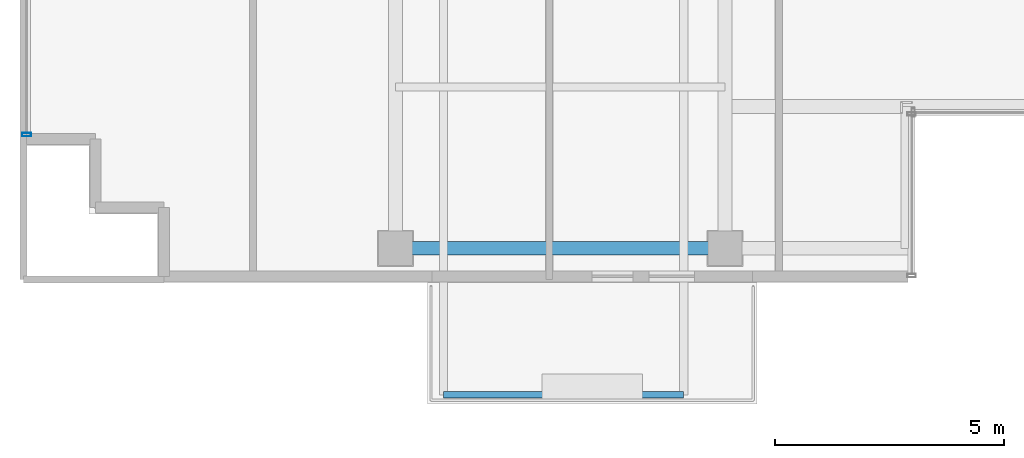
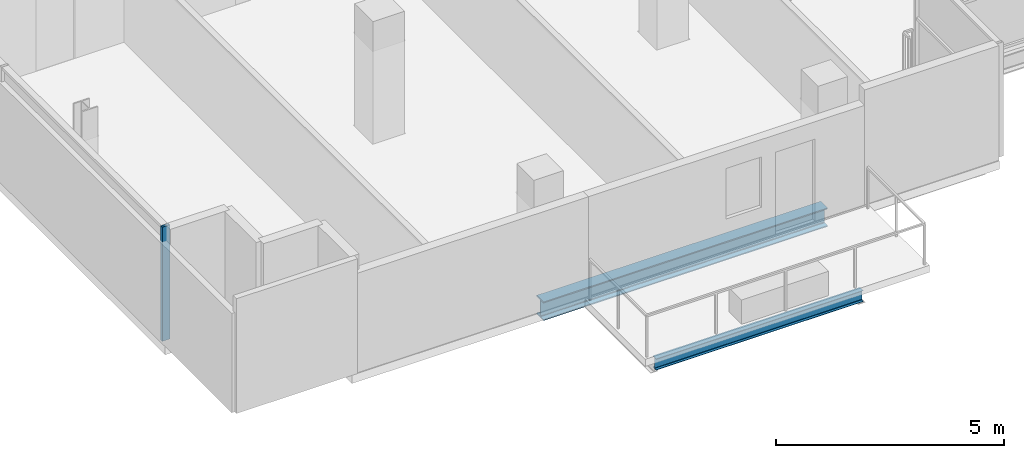
# One storey, part 2 of 23: 2 beams, 1 member, 1 element without a shape of its own.
"""IFC4 building model written with IfcOpenShell, lengths in metres."""

from ifc_helpers import new_model, si_unit, direction, frame, origin, origin_2d, place, context, subcontext, project, spatial, hollow_rectangle, i_section, extrude, source, transform, mapped, material, layer, layer_set, material_profile, profile_set, type_object, element, aggregate, save


model = new_model("IFC4")

# Units and contexts
model_context = context("Model", 3, precision=1e-05, world=origin(), true_north=direction((0.0, 1.0)))
body_context = subcontext(model_context, "Body", "Model", "MODEL_VIEW")
ifc_project = project(units=[si_unit("LENGTHUNIT", "METRE"), si_unit("AREAUNIT", "SQUARE_METRE"), si_unit("VOLUMEUNIT", "CUBIC_METRE"), si_unit("PLANEANGLEUNIT", "RADIAN"), si_unit("MASSUNIT", "GRAM", prefix="KILO")], contexts=[model_context])

# Site, building, storey
site_placement = place(None, origin())
site = spatial("IfcSite", under=ifc_project, at=site_placement, CompositionType="ELEMENT")
building_placement = place(site_placement, origin())
building = spatial("IfcBuilding", under=site, at=building_placement, Name="Zarnakvel Exchange Tower", CompositionType="ELEMENT")
storey_placement = place(building_placement, frame((0.0, 0.0, 175.89990234375)))
storey = spatial("IfcBuildingStorey", under=building, at=storey_placement, Name="L49", CompositionType="ELEMENT", Elevation=175.89990234375)

# Beams
ifc_material_1 = material(Name="Steel S355", Category="steel")
ifc_material_profile_1 = material_profile(ifc_material_1, i_section(OverallWidth=0.14990234375, OverallDepth=0.300048828125, WebThickness=0.007080078125, FlangeThickness=0.0107421875, FilletRadius=0.014892578125, at=origin_2d()))
ifc_profile_set_1 = profile_set([ifc_material_profile_1], Name="Steel S355")
beam_type_1 = type_object("IfcBeamType", Name="B-08", PredefinedType="JOIST", material=ifc_profile_set_1)
beam_1_placement = place(storey_placement, frame((-13.35009765625, -19.85009765625, -0.375), z_axis=(1.0, 0.0, 0.0), x_axis=(0.0, 1.0, 0.0)))
element("IfcBeam", 1, at=beam_1_placement, inside=storey, type_object=beam_type_1, Name="L49 Balcony Edge Beam", PredefinedType="JOIST", context=body_context, shape_type="SweptSolid", body=[
    extrude(i_section(OverallWidth=0.14990234375, OverallDepth=0.300048828125, WebThickness=0.007080078125, FlangeThickness=0.0107421875, FilletRadius=0.014892578125, at=origin_2d()), origin(), (0.0, 0.0, 1.0), 5.25),
])
ifc_material_profile_2 = material_profile(ifc_material_1, i_section(OverallWidth=0.300048828125, OverallDepth=0.5, WebThickness=0.014404296875, FlangeThickness=0.028076171875, FilletRadius=0.027099609375, at=origin_2d()))
ifc_profile_set_2 = profile_set([ifc_material_profile_2], Name="Steel S355")
beam_type_2 = type_object("IfcBeamType", Name="SP-02", PredefinedType="SPANDREL", material=ifc_profile_set_2)
beam_2_placement = place(storey_placement, frame((-14.39990234375, -16.64990234375, -0.474853515625), z_axis=(1.0, 0.0, 0.0), x_axis=(0.0, 1.0, 0.0)))
element("IfcBeam", 2, at=beam_2_placement, inside=storey, type_object=beam_type_2, Name="L49 Tower E-W Frame Beam", PredefinedType="SPANDREL", context=body_context, shape_type="SweptSolid", body=[
    extrude(i_section(OverallWidth=0.300048828125, OverallDepth=0.5, WebThickness=0.014404296875, FlangeThickness=0.028076171875, FilletRadius=0.027099609375, at=origin_2d()), origin(), (0.0, 0.0, 1.0), 7.199951171875),
])

# Curtain wall, member
ifc_material_2 = material(Name="Architectural Bronze Anodised Aluminium", Category="aluminium")
ifc_layer = layer(ifc_material_2, 0.199951171875)
ifc_layer_set = layer_set([ifc_layer], Name="Architectural Bronze Anodised Aluminium")
curtain_wall_type = type_object("IfcCurtainWallType", Name="CW-04", PredefinedType="NOTDEFINED", material=ifc_layer_set)
curtain_wall_placement = place(storey_placement, origin())
curtain_wall = element("IfcCurtainWall", 3, at=curtain_wall_placement, inside=storey, type_object=curtain_wall_type, Name="L49 Curtain Wall CW-L49-W1 (CW-04)", PredefinedType="NOTDEFINED")
ifc_material_profile_3 = material_profile(ifc_material_2, hollow_rectangle(XDim=0.199951171875, YDim=0.074951171875, WallThickness=0.0048828125, at=origin_2d()))
ifc_profile_set_3 = profile_set([ifc_material_profile_3], Name="Architectural Bronze Anodised Aluminium")
member_type = type_object("IfcMemberType", Name="CWM-04", PredefinedType="MULLION", material=ifc_profile_set_3)
shared_shape = source(origin(), body_context, "Body", "SweptSolid", [
    extrude(hollow_rectangle(XDim=0.199951171875, YDim=0.074951171875, WallThickness=0.0048828125, at=origin_2d()), origin(), (0.0, 0.0, 1.0), 3.05517578125),
])
member_placement = place(storey_placement, frame((-22.4599609375, -14.16259765625, 0.0), z_axis=(0.0, 0.0, 1.0), x_axis=(-1.0, 0.0, 0.0)))
member = element("IfcMember", 4, at=member_placement, type_object=member_type, Name="CW-04 mullion 1", PredefinedType="MULLION", context=body_context, shape_type="MappedRepresentation", body=[
    mapped(shared_shape, transform((0.0, 0.0, 0.0), x_axis=(1.0, 0.0, 0.0), y_axis=(0.0, 1.0, 0.0), z_axis=(0.0, 0.0, 1.0), scale=1.0)),
])
aggregate(curtain_wall, [member])

save(model, "model.ifc")
